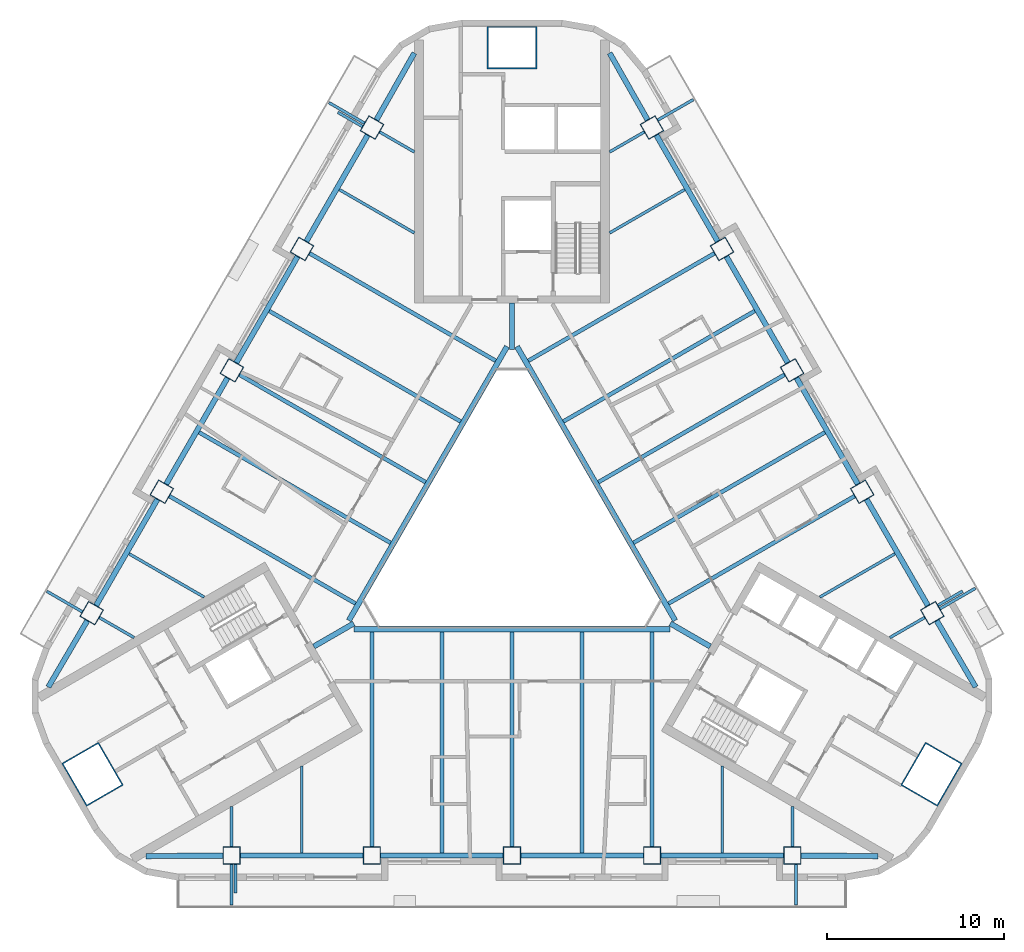
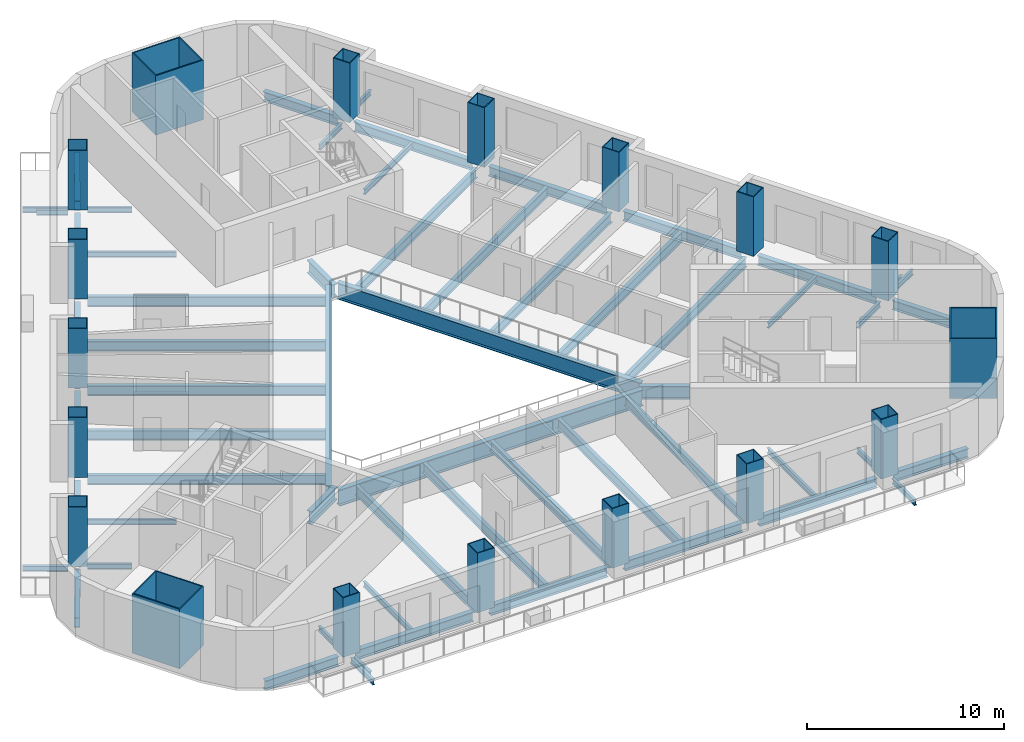
# One storey, part 1 of 13: 60 beams, 18 columns.
"""IFC4 building model written with IfcOpenShell, lengths in metres."""

from ifc_helpers import new_model, si_unit, direction, frame, origin, origin_2d, place, context, subcontext, project, spatial, rectangle, hollow_rectangle, i_section, extrude, material, material_profile, profile_set, type_object, element, save


model = new_model("IFC4")

# Units and contexts
model_context = context("Model", 3, precision=1e-05, world=origin(), true_north=direction((0.0, 1.0)))
body_context = subcontext(model_context, "Body", "Model", "MODEL_VIEW")
ifc_project = project(units=[si_unit("LENGTHUNIT", "METRE"), si_unit("AREAUNIT", "SQUARE_METRE"), si_unit("VOLUMEUNIT", "CUBIC_METRE"), si_unit("PLANEANGLEUNIT", "RADIAN"), si_unit("MASSUNIT", "GRAM", prefix="KILO")], contexts=[model_context])

# Site, building, storey
site_placement = place(None, origin())
site = spatial("IfcSite", under=ifc_project, at=site_placement, CompositionType="ELEMENT")
building_placement = place(site_placement, origin())
building = spatial("IfcBuilding", under=site, at=building_placement, Name="Apuvela Tower Hotel", CompositionType="ELEMENT")
storey_placement = place(building_placement, frame((0.0, 0.0, 79.800048828125)))
storey = spatial("IfcBuildingStorey", under=building, at=storey_placement, Name="L17", CompositionType="ELEMENT", Elevation=79.800048828125)

# Columns
ifc_material_1 = material(Name="Steel S460", Category="steel")
ifc_material_profile_1 = material_profile(ifc_material_1, hollow_rectangle(XDim=2.800048828125, YDim=2.39990234375, WallThickness=0.070068359375, at=origin_2d()), Name="BOX 2800x2400x70")
ifc_material_2 = material(Name="Concrete C80/95", Category="concrete")
ifc_material_profile_2 = material_profile(ifc_material_2, rectangle(XDim=2.659912109375, YDim=2.260009765625, at=origin_2d()), Name="Concrete C80/95 infill")
ifc_profile_set_1 = profile_set([ifc_material_profile_1, ifc_material_profile_2], Name="Steel S460")
column_type_1 = type_object("IfcColumnType", Name="STR-MC mega column BOX 2800x2400x70", PredefinedType="COLUMN", material=ifc_profile_set_1)
for number, where, z_axis, x_axis, name in (
    (1, (0.0, 27.300048828125, 0.0), (0.0, 0.0, 1.0), (1.0, 0.0, 0.0), "Mega column MC2 N"),
    (2, (-23.642578125, -13.64990234375, 0.0), (0.0, 0.0, 1.0), (-0.5, 0.866025403784, 0.0), "Mega column MC2 SW"),
    (3, (23.642578125, -13.64990234375, 0.0), (0.0, 0.0, 1.0), (0.5, 0.866025403784, 0.0), "Mega column MC2 SE"),
):
    element("IfcColumn", number, at=place(storey_placement, frame(where, z_axis=z_axis, x_axis=x_axis)), inside=storey, type_object=column_type_1, Name=name, PredefinedType="COLUMN", context=body_context, shape_type="SweptSolid", body=[
        extrude(hollow_rectangle(XDim=2.800048828125, YDim=2.39990234375, WallThickness=0.070068359375, at=origin_2d()), origin(), (0.0, 0.0, 1.0), 3.699951171875),
    ])
ifc_material_profile_3 = material_profile(ifc_material_1, hollow_rectangle(XDim=1.0, YDim=1.0, WallThickness=0.044921875, at=origin_2d()), Name="BOX 1000x1000x45")
ifc_material_profile_4 = material_profile(ifc_material_2, rectangle(XDim=0.909912109375, YDim=0.909912109375, at=origin_2d()), Name="Concrete C80/95 infill")
ifc_profile_set_2 = profile_set([ifc_material_profile_3, ifc_material_profile_4], Name="Steel S460")
column_type_2 = type_object("IfcColumnType", Name="STR-PC perimeter column BOX 1000x1000x45", PredefinedType="COLUMN", material=ifc_profile_set_2)
for number, where, z_axis, x_axis, name in (
    (4, (-15.800048828125, -18.22998046875, 0.0), (0.0, 0.0, 1.0), (-1.0, 0.0, 0.0), "Perimeter column C2 S1"),
    (5, (-7.89990234375, -18.22998046875, 0.0), (0.0, 0.0, 1.0), (-1.0, 0.0, 0.0), "Perimeter column C2 S2"),
    (6, (0.0, -18.22998046875, 0.0), (0.0, 0.0, 1.0), (-1.0, 0.0, 0.0), "Perimeter column C2 S3"),
    (7, (7.89990234375, -18.22998046875, 0.0), (0.0, 0.0, 1.0), (-1.0, 0.0, 0.0), "Perimeter column C2 S4"),
    (8, (15.800048828125, -18.22998046875, 0.0), (0.0, 0.0, 1.0), (-1.0, 0.0, 0.0), "Perimeter column C2 S5"),
    (9, (23.6875, -4.568115234375, 0.0), (0.0, 0.0, 1.0), (-0.5, 0.866025403784, 0.0), "Perimeter column C2 NE1"),
    (10, (19.737548828125, 2.2734375, 0.0), (0.0, 0.0, 1.0), (-0.5, 0.866025403784, 0.0), "Perimeter column C2 NE2"),
    (11, (15.78759765625, 9.114990234375, 0.0), (0.0, 0.0, 1.0), (-0.5, 0.866025403784, 0.0), "Perimeter column C2 NE3"),
    (12, (11.837646484375, 15.95654296875, 0.0), (0.0, 0.0, 1.0), (-0.5, 0.866025403784, 0.0), "Perimeter column C2 NE4"),
    (13, (7.8876953125, 22.798095703125, 0.0), (0.0, 0.0, 1.0), (-0.5, 0.866025403784, 0.0), "Perimeter column C2 NE5"),
    (14, (-7.8876953125, 22.798095703125, 0.0), (0.0, 0.0, 1.0), (0.5, 0.866025403784, 0.0), "Perimeter column C2 NW1"),
    (15, (-11.837646484375, 15.95654296875, 0.0), (0.0, 0.0, 1.0), (0.5, 0.866025403784, 0.0), "Perimeter column C2 NW2"),
    (16, (-15.78759765625, 9.114990234375, 0.0), (0.0, 0.0, 1.0), (0.5, 0.866025403784, 0.0), "Perimeter column C2 NW3"),
    (17, (-19.737548828125, 2.2734375, 0.0), (0.0, 0.0, 1.0), (0.5, 0.866025403784, 0.0), "Perimeter column C2 NW4"),
    (18, (-23.6875, -4.568115234375, 0.0), (0.0, 0.0, 1.0), (0.5, 0.866025403784, 0.0), "Perimeter column C2 NW5"),
):
    element("IfcColumn", number, at=place(storey_placement, frame(where, z_axis=z_axis, x_axis=x_axis)), inside=storey, type_object=column_type_2, Name=name, PredefinedType="COLUMN", context=body_context, shape_type="SweptSolid", body=[
        extrude(hollow_rectangle(XDim=1.0, YDim=1.0, WallThickness=0.044921875, at=origin_2d()), origin(), (0.0, 0.0, 1.0), 3.699951171875),
    ])

# Beams
ifc_material_3 = material(Name="Steel S355", Category="steel")
ifc_material_profile_5 = material_profile(ifc_material_3, i_section(OverallWidth=0.159912109375, OverallDepth=0.330078125, WebThickness=0.007568359375, FlangeThickness=0.011474609375, at=origin_2d()), Name="IPE 330")
ifc_profile_set_3 = profile_set([ifc_material_profile_5], Name="Steel S355")
beam_type_1 = type_object("IfcBeamType", Name="ENV-BALCONY-BEAM-IPE330", PredefinedType="BEAM", material=ifc_profile_set_3)
beam_1_placement = place(storey_placement, frame((-15.800048828125, -18.72998046875, -0.31494140625), z_axis=(0.0, -1.0, 0.0), x_axis=(1.0, 0.0, 0.0)))
element("IfcBeam", 19, at=beam_1_placement, inside=storey, type_object=beam_type_1, Name="Balcony cantilever beam S1 L17", PredefinedType="BEAM", context=body_context, shape_type="SweptSolid", body=[
    extrude(i_section(OverallWidth=0.159912109375, OverallDepth=0.330078125, WebThickness=0.007568359375, FlangeThickness=0.011474609375, at=origin_2d()), origin(), (0.0, 0.0, 1.0), 2.300048828125),
])
beam_2_placement = place(storey_placement, frame((-15.580078125, -18.72998046875, -0.31494140625), z_axis=(0.0, -1.0, 0.0), x_axis=(1.0, 0.0, 0.0)))
element("IfcBeam", 20, at=beam_2_placement, inside=storey, type_object=beam_type_1, Name="Balcony cantilever beam S2 L17", PredefinedType="BEAM", context=body_context, shape_type="SweptSolid", body=[
    extrude(i_section(OverallWidth=0.159912109375, OverallDepth=0.330078125, WebThickness=0.007568359375, FlangeThickness=0.011474609375, at=origin_2d()), origin(), (0.0, 0.0, 1.0), 1.60009765625),
])
for number, where, z_axis, x_axis, name in (
    (21, (16.0, -18.72998046875, -0.31494140625), (0.0, -1.0, 0.0), (1.0, 0.0, 0.0), "Balcony cantilever beam S3 L17"),
    (22, (24.12060546875, -4.318115234375, -0.31494140625), (0.866053019151, 0.499952165731, 0.0), (-0.499952165731, 0.866053019151, 0.0), "Balcony cantilever beam NE1 L17"),
):
    element("IfcBeam", number, at=place(storey_placement, frame(where, z_axis=z_axis, x_axis=x_axis)), inside=storey, type_object=beam_type_1, Name=name, PredefinedType="BEAM", context=body_context, shape_type="SweptSolid", body=[
        extrude(i_section(OverallWidth=0.159912109375, OverallDepth=0.330078125, WebThickness=0.007568359375, FlangeThickness=0.011474609375, at=origin_2d()), origin(), (0.0, 0.0, 1.0), 2.300048828125),
    ])
beam_3_placement = place(storey_placement, frame((24.0107421875, -4.127685546875, -0.31494140625), z_axis=(0.865989903783, 0.500061482766, 0.0), x_axis=(-0.500061482766, 0.865989903783, 0.0)))
element("IfcBeam", 23, at=beam_3_placement, inside=storey, type_object=beam_type_1, Name="Balcony cantilever beam NE2 L17", PredefinedType="BEAM", context=body_context, shape_type="SweptSolid", body=[
    extrude(i_section(OverallWidth=0.159912109375, OverallDepth=0.330078125, WebThickness=0.007568359375, FlangeThickness=0.011474609375, at=origin_2d()), origin(), (0.0, 0.0, 1.0), 1.599853515625),
])
beam_4_placement = place(storey_placement, frame((8.220703125, 23.221435546875, -0.31494140625), z_axis=(0.86602648383, 0.499998129301, 0.0), x_axis=(-0.499998129301, 0.86602648383, 0.0)))
element("IfcBeam", 24, at=beam_4_placement, inside=storey, type_object=beam_type_1, Name="Balcony cantilever beam NE3 L17", PredefinedType="BEAM", context=body_context, shape_type="SweptSolid", body=[
    extrude(i_section(OverallWidth=0.159912109375, OverallDepth=0.330078125, WebThickness=0.007568359375, FlangeThickness=0.011474609375, at=origin_2d()), origin(), (0.0, 0.0, 1.0), 2.2998046875),
])
beam_5_placement = place(storey_placement, frame((-8.32080078125, 23.048095703125, -0.31494140625), z_axis=(-0.865980515519, 0.500077740698, 0.0), x_axis=(-0.500077740698, -0.865980515519, 0.0)))
element("IfcBeam", 25, at=beam_5_placement, inside=storey, type_object=beam_type_1, Name="Balcony cantilever beam NW1 L17", PredefinedType="BEAM", context=body_context, shape_type="SweptSolid", body=[
    extrude(i_section(OverallWidth=0.159912109375, OverallDepth=0.330078125, WebThickness=0.007568359375, FlangeThickness=0.011474609375, at=origin_2d()), origin(), (0.0, 0.0, 1.0), 2.300048828125),
])
beam_6_placement = place(storey_placement, frame((-8.4306640625, 22.857666015625, -0.31494140625), z_axis=(-0.866028054938, 0.499995408039, 0.0), x_axis=(-0.499995408039, -0.866028054938, 0.0)))
element("IfcBeam", 26, at=beam_6_placement, inside=storey, type_object=beam_type_1, Name="Balcony cantilever beam NW2 L17", PredefinedType="BEAM", context=body_context, shape_type="SweptSolid", body=[
    extrude(i_section(OverallWidth=0.159912109375, OverallDepth=0.330078125, WebThickness=0.007568359375, FlangeThickness=0.011474609375, at=origin_2d()), origin(), (0.0, 0.0, 1.0), 1.60009765625),
])
beam_7_placement = place(storey_placement, frame((-24.220703125, -4.491455078125, -0.31494140625), z_axis=(-0.865980515519, 0.500077740698, 0.0), x_axis=(-0.500077740698, -0.865980515519, 0.0)))
element("IfcBeam", 27, at=beam_7_placement, inside=storey, type_object=beam_type_1, Name="Balcony cantilever beam NW3 L17", PredefinedType="BEAM", context=body_context, shape_type="SweptSolid", body=[
    extrude(i_section(OverallWidth=0.159912109375, OverallDepth=0.330078125, WebThickness=0.007568359375, FlangeThickness=0.011474609375, at=origin_2d()), origin(), (0.0, 0.0, 1.0), 2.300048828125),
])
ifc_material_profile_6 = material_profile(ifc_material_3, i_section(OverallWidth=0.159912109375, OverallDepth=0.330078125, WebThickness=0.007568359375, FlangeThickness=0.011474609375, at=origin_2d()), Name="IPE 330")
ifc_profile_set_4 = profile_set([ifc_material_profile_6], Name="Steel S355")
beam_type_2 = type_object("IfcBeamType", Name="STR-B floor beam IPE 330", PredefinedType="BEAM", material=ifc_profile_set_4)
beam_8_placement = place(storey_placement, frame((23.254638671875, -4.818115234375, -0.31494140625), z_axis=(-0.865991034588, -0.500059524469, 0.0), x_axis=(0.500059524469, -0.865991034588, 0.0)))
element("IfcBeam", 28, at=beam_8_placement, inside=storey, type_object=beam_type_2, Name="Floor beam B1 NE1", PredefinedType="BEAM", context=body_context, shape_type="SweptSolid", body=[
    extrude(i_section(OverallWidth=0.159912109375, OverallDepth=0.330078125, WebThickness=0.007568359375, FlangeThickness=0.011474609375, at=origin_2d()), origin(), (0.0, 0.0, 1.0), 2.257080078125),
])
for number, where, z_axis, x_axis, name in (
    (29, (21.582763671875, -1.222412109375, -0.31494140625), (-0.866015056278, -0.500017921979, 0.0), (0.500017921979, -0.866015056278, 0.0), "Floor beam B1 NE2"),
    (30, (9.732666015625, 19.302490234375, -0.31494140625), (-0.866015056278, -0.500017921979, 0.0), (0.500017921979, -0.866015056278, 0.0), "Floor beam B1 NE8"),
):
    element("IfcBeam", number, at=place(storey_placement, frame(where, z_axis=z_axis, x_axis=x_axis)), inside=storey, type_object=beam_type_2, Name=name, PredefinedType="BEAM", context=body_context, shape_type="SweptSolid", body=[
        extrude(i_section(OverallWidth=0.159912109375, OverallDepth=0.330078125, WebThickness=0.007568359375, FlangeThickness=0.011474609375, at=origin_2d()), origin(), (0.0, 0.0, 1.0), 4.887451171875),
    ])
for number, where, z_axis, x_axis, name in (
    (31, (7.45458984375, 22.548095703125, -0.31494140625), (-0.86603787505, -0.499978398512, 0.0), (0.499978398512, -0.86603787505, 0.0), "Floor beam B1 NE9"),
    (32, (-7.45458984375, 22.548095703125, -0.31494140625), (0.86603787505, -0.499978398512, 0.0), (0.499978398512, 0.86603787505, 0.0), "Floor beam B1 NW1"),
):
    element("IfcBeam", number, at=place(storey_placement, frame(where, z_axis=z_axis, x_axis=x_axis)), inside=storey, type_object=beam_type_2, Name=name, PredefinedType="BEAM", context=body_context, shape_type="SweptSolid", body=[
        extrude(i_section(OverallWidth=0.159912109375, OverallDepth=0.330078125, WebThickness=0.007568359375, FlangeThickness=0.011474609375, at=origin_2d()), origin(), (0.0, 0.0, 1.0), 2.2568359375),
    ])
for number, where, z_axis, x_axis, name in (
    (33, (-9.732666015625, 19.302490234375, -0.31494140625), (0.866015056278, -0.500017921979, 0.0), (0.500017921979, 0.866015056278, 0.0), "Floor beam B1 NW2"),
    (34, (-21.582763671875, -1.222412109375, -0.31494140625), (0.866015056278, -0.500017921979, 0.0), (0.500017921979, 0.866015056278, 0.0), "Floor beam B1 NW8"),
):
    element("IfcBeam", number, at=place(storey_placement, frame(where, z_axis=z_axis, x_axis=x_axis)), inside=storey, type_object=beam_type_2, Name=name, PredefinedType="BEAM", context=body_context, shape_type="SweptSolid", body=[
        extrude(i_section(OverallWidth=0.159912109375, OverallDepth=0.330078125, WebThickness=0.007568359375, FlangeThickness=0.011474609375, at=origin_2d()), origin(), (0.0, 0.0, 1.0), 4.887451171875),
    ])
for number, where, z_axis, x_axis, name in (
    (35, (-23.254638671875, -4.818115234375, -0.31494140625), (0.865991034588, -0.500059524469, 0.0), (0.500059524469, 0.865991034588, 0.0), "Floor beam B1 NW9"),
    (36, (-15.800048828125, -17.72998046875, -0.31494140625), (0.0, 1.0, 0.0), (-1.0, 0.0, 0.0), "Floor beam B1 S1"),
):
    element("IfcBeam", number, at=place(storey_placement, frame(where, z_axis=z_axis, x_axis=x_axis)), inside=storey, type_object=beam_type_2, Name=name, PredefinedType="BEAM", context=body_context, shape_type="SweptSolid", body=[
        extrude(i_section(OverallWidth=0.159912109375, OverallDepth=0.330078125, WebThickness=0.007568359375, FlangeThickness=0.011474609375, at=origin_2d()), origin(), (0.0, 0.0, 1.0), 2.257080078125),
    ])
for number, where, z_axis, x_axis, name in (
    (37, (-11.85009765625, -18.080078125, -0.31494140625), (0.0, 1.0, 0.0), (-1.0, 0.0, 0.0), "Floor beam B1 S2"),
    (38, (11.85009765625, -18.080078125, -0.31494140625), (0.0, 1.0, 0.0), (-1.0, 0.0, 0.0), "Floor beam B1 S8"),
):
    element("IfcBeam", number, at=place(storey_placement, frame(where, z_axis=z_axis, x_axis=x_axis)), inside=storey, type_object=beam_type_2, Name=name, PredefinedType="BEAM", context=body_context, shape_type="SweptSolid", body=[
        extrude(i_section(OverallWidth=0.159912109375, OverallDepth=0.330078125, WebThickness=0.007568359375, FlangeThickness=0.011474609375, at=origin_2d()), origin(), (0.0, 0.0, 1.0), 4.8876953125),
    ])
beam_9_placement = place(storey_placement, frame((15.800048828125, -17.72998046875, -0.31494140625), z_axis=(0.0, 1.0, 0.0), x_axis=(-1.0, 0.0, 0.0)))
element("IfcBeam", 39, at=beam_9_placement, inside=storey, type_object=beam_type_2, Name="Floor beam B1 S9", PredefinedType="BEAM", context=body_context, shape_type="SweptSolid", body=[
    extrude(i_section(OverallWidth=0.159912109375, OverallDepth=0.330078125, WebThickness=0.007568359375, FlangeThickness=0.011474609375, at=origin_2d()), origin(), (0.0, 0.0, 1.0), 2.257080078125),
])
ifc_material_profile_7 = material_profile(ifc_material_3, i_section(OverallWidth=0.219970703125, OverallDepth=0.60009765625, WebThickness=0.011962890625, FlangeThickness=0.01904296875, at=origin_2d()), Name="IPE 600")
ifc_profile_set_5 = profile_set([ifc_material_profile_7], Name="Steel S355")
beam_type_3 = type_object("IfcBeamType", Name="STR-B floor beam IPE 600", PredefinedType="BEAM", material=ifc_profile_set_5)
beam_10_placement = place(storey_placement, frame((19.3046875, 2.0234375, -0.449951171875), z_axis=(-0.866027098151, -0.499997065259, 0.0), x_axis=(0.499997065259, -0.866027098151, 0.0)))
element("IfcBeam", 40, at=beam_10_placement, inside=storey, type_object=beam_type_3, Name="Floor beam B8 NE3", PredefinedType="BEAM", context=body_context, shape_type="SweptSolid", body=[
    extrude(i_section(OverallWidth=0.219970703125, OverallDepth=0.60009765625, WebThickness=0.011962890625, FlangeThickness=0.01904296875, at=origin_2d()), origin(), (0.0, 0.0, 1.0), 12.10791015625),
])
beam_11_placement = place(storey_placement, frame((17.6328125, 5.619140625, -0.449951171875), z_axis=(-0.866027636335, -0.499996133089, 0.0), x_axis=(0.499996133089, -0.866027636335, 0.0)))
element("IfcBeam", 41, at=beam_11_placement, inside=storey, type_object=beam_type_3, Name="Floor beam B8 NE4", PredefinedType="BEAM", context=body_context, shape_type="SweptSolid", body=[
    extrude(i_section(OverallWidth=0.219970703125, OverallDepth=0.60009765625, WebThickness=0.011962890625, FlangeThickness=0.01904296875, at=origin_2d()), origin(), (0.0, 0.0, 1.0), 12.4580078125),
])
beam_12_placement = place(storey_placement, frame((15.3544921875, 8.864990234375, -0.449951171875), z_axis=(-0.866022057176, -0.500005796451, 0.0), x_axis=(0.500005796451, -0.866022057176, 0.0)))
element("IfcBeam", 42, at=beam_12_placement, inside=storey, type_object=beam_type_3, Name="Floor beam B8 NE5", PredefinedType="BEAM", context=body_context, shape_type="SweptSolid", body=[
    extrude(i_section(OverallWidth=0.219970703125, OverallDepth=0.60009765625, WebThickness=0.011962890625, FlangeThickness=0.01904296875, at=origin_2d()), origin(), (0.0, 0.0, 1.0), 12.107666015625),
])
beam_13_placement = place(storey_placement, frame((13.6826171875, 12.460693359375, -0.449951171875), z_axis=(-0.866022737053, -0.500004618886, 0.0), x_axis=(0.500004618886, -0.866022737053, 0.0)))
element("IfcBeam", 43, at=beam_13_placement, inside=storey, type_object=beam_type_3, Name="Floor beam B8 NE6", PredefinedType="BEAM", context=body_context, shape_type="SweptSolid", body=[
    extrude(i_section(OverallWidth=0.219970703125, OverallDepth=0.60009765625, WebThickness=0.011962890625, FlangeThickness=0.01904296875, at=origin_2d()), origin(), (0.0, 0.0, 1.0), 12.4580078125),
])
for number, where, z_axis, x_axis, name in (
    (44, (11.404541015625, 15.70654296875, -0.449951171875), (-0.866027098151, -0.499997065259, 0.0), (0.499997065259, -0.866027098151, 0.0), "Floor beam B8 NE7"),
    (45, (-11.404541015625, 15.70654296875, -0.449951171875), (0.866027098151, -0.499997065259, 0.0), (0.499997065259, 0.866027098151, 0.0), "Floor beam B8 NW3"),
):
    element("IfcBeam", number, at=place(storey_placement, frame(where, z_axis=z_axis, x_axis=x_axis)), inside=storey, type_object=beam_type_3, Name=name, PredefinedType="BEAM", context=body_context, shape_type="SweptSolid", body=[
        extrude(i_section(OverallWidth=0.219970703125, OverallDepth=0.60009765625, WebThickness=0.011962890625, FlangeThickness=0.01904296875, at=origin_2d()), origin(), (0.0, 0.0, 1.0), 12.10791015625),
    ])
beam_14_placement = place(storey_placement, frame((-13.6826171875, 12.460693359375, -0.449951171875), z_axis=(0.866022737053, -0.500004618886, 0.0), x_axis=(0.500004618886, 0.866022737053, 0.0)))
element("IfcBeam", 46, at=beam_14_placement, inside=storey, type_object=beam_type_3, Name="Floor beam B8 NW4", PredefinedType="BEAM", context=body_context, shape_type="SweptSolid", body=[
    extrude(i_section(OverallWidth=0.219970703125, OverallDepth=0.60009765625, WebThickness=0.011962890625, FlangeThickness=0.01904296875, at=origin_2d()), origin(), (0.0, 0.0, 1.0), 12.4580078125),
])
beam_15_placement = place(storey_placement, frame((-15.3544921875, 8.864990234375, -0.449951171875), z_axis=(0.866022057176, -0.500005796451, 0.0), x_axis=(0.500005796451, 0.866022057176, 0.0)))
element("IfcBeam", 47, at=beam_15_placement, inside=storey, type_object=beam_type_3, Name="Floor beam B8 NW5", PredefinedType="BEAM", context=body_context, shape_type="SweptSolid", body=[
    extrude(i_section(OverallWidth=0.219970703125, OverallDepth=0.60009765625, WebThickness=0.011962890625, FlangeThickness=0.01904296875, at=origin_2d()), origin(), (0.0, 0.0, 1.0), 12.107666015625),
])
beam_16_placement = place(storey_placement, frame((-17.6328125, 5.619140625, -0.449951171875), z_axis=(0.866027636335, -0.499996133089, 0.0), x_axis=(0.499996133089, 0.866027636335, 0.0)))
element("IfcBeam", 48, at=beam_16_placement, inside=storey, type_object=beam_type_3, Name="Floor beam B8 NW6", PredefinedType="BEAM", context=body_context, shape_type="SweptSolid", body=[
    extrude(i_section(OverallWidth=0.219970703125, OverallDepth=0.60009765625, WebThickness=0.011962890625, FlangeThickness=0.01904296875, at=origin_2d()), origin(), (0.0, 0.0, 1.0), 12.4580078125),
])
for number, where, z_axis, x_axis, name in (
    (49, (-19.3046875, 2.0234375, -0.449951171875), (0.866027098151, -0.499997065259, 0.0), (0.499997065259, 0.866027098151, 0.0), "Floor beam B8 NW7"),
    (50, (-7.89990234375, -17.72998046875, -0.449951171875), (0.0, 1.0, 0.0), (-1.0, 0.0, 0.0), "Floor beam B8 S3"),
):
    element("IfcBeam", number, at=place(storey_placement, frame(where, z_axis=z_axis, x_axis=x_axis)), inside=storey, type_object=beam_type_3, Name=name, PredefinedType="BEAM", context=body_context, shape_type="SweptSolid", body=[
        extrude(i_section(OverallWidth=0.219970703125, OverallDepth=0.60009765625, WebThickness=0.011962890625, FlangeThickness=0.01904296875, at=origin_2d()), origin(), (0.0, 0.0, 1.0), 12.10791015625),
    ])
beam_17_placement = place(storey_placement, frame((-3.949951171875, -18.080078125, -0.449951171875), z_axis=(0.0, 1.0, 0.0), x_axis=(-1.0, 0.0, 0.0)))
element("IfcBeam", 51, at=beam_17_placement, inside=storey, type_object=beam_type_3, Name="Floor beam B8 S4", PredefinedType="BEAM", context=body_context, shape_type="SweptSolid", body=[
    extrude(i_section(OverallWidth=0.219970703125, OverallDepth=0.60009765625, WebThickness=0.011962890625, FlangeThickness=0.01904296875, at=origin_2d()), origin(), (0.0, 0.0, 1.0), 12.4580078125),
])
beam_18_placement = place(storey_placement, frame((0.0, -17.72998046875, -0.449951171875), z_axis=(0.0, 1.0, 0.0), x_axis=(-1.0, 0.0, 0.0)))
element("IfcBeam", 52, at=beam_18_placement, inside=storey, type_object=beam_type_3, Name="Floor beam B8 S5", PredefinedType="BEAM", context=body_context, shape_type="SweptSolid", body=[
    extrude(i_section(OverallWidth=0.219970703125, OverallDepth=0.60009765625, WebThickness=0.011962890625, FlangeThickness=0.01904296875, at=origin_2d()), origin(), (0.0, 0.0, 1.0), 12.10791015625),
])
beam_19_placement = place(storey_placement, frame((3.949951171875, -18.080078125, -0.449951171875), z_axis=(0.0, 1.0, 0.0), x_axis=(-1.0, 0.0, 0.0)))
element("IfcBeam", 53, at=beam_19_placement, inside=storey, type_object=beam_type_3, Name="Floor beam B8 S6", PredefinedType="BEAM", context=body_context, shape_type="SweptSolid", body=[
    extrude(i_section(OverallWidth=0.219970703125, OverallDepth=0.60009765625, WebThickness=0.011962890625, FlangeThickness=0.01904296875, at=origin_2d()), origin(), (0.0, 0.0, 1.0), 12.4580078125),
])
beam_20_placement = place(storey_placement, frame((7.89990234375, -17.72998046875, -0.449951171875), z_axis=(0.0, 1.0, 0.0), x_axis=(-1.0, 0.0, 0.0)))
element("IfcBeam", 54, at=beam_20_placement, inside=storey, type_object=beam_type_3, Name="Floor beam B8 S7", PredefinedType="BEAM", context=body_context, shape_type="SweptSolid", body=[
    extrude(i_section(OverallWidth=0.219970703125, OverallDepth=0.60009765625, WebThickness=0.011962890625, FlangeThickness=0.01904296875, at=origin_2d()), origin(), (0.0, 0.0, 1.0), 12.10791015625),
])
ifc_material_profile_8 = material_profile(ifc_material_3, i_section(OverallWidth=0.302001953125, OverallDepth=1.008056640625, WebThickness=0.02099609375, FlangeThickness=0.0400390625, at=origin_2d()), Name="HE 1000 M")
ifc_profile_set_6 = profile_set([ifc_material_profile_8], Name="Steel S355")
beam_type_4 = type_object("IfcBeamType", Name="STR-G atrium ring girder HE 1000 M", PredefinedType="BEAM", material=ifc_profile_set_6)
for number, where, z_axis, x_axis, name in (
    (55, (-0.28076171875, 10.455810546875, -0.654052734375), (-0.500000611842, -0.866025050537, 0.0), (0.866025050537, -0.500000611842, 0.0), "Atrium ring girder G1 N-SW"),
    (56, (-8.91455078125, -5.470947265625, -0.654052734375), (1.0, 0.0, 0.0), (0.0, 1.0, 0.0), "Atrium ring girder G1 SW-SE"),
    (57, (9.1953125, -4.984619140625, -0.654052734375), (-0.500000611842, 0.866025050537, 0.0), (-0.866025050537, -0.500000611842, 0.0), "Atrium ring girder G1 SE-N"),
):
    element("IfcBeam", number, at=place(storey_placement, frame(where, z_axis=z_axis, x_axis=x_axis)), inside=storey, type_object=beam_type_4, Name=name, PredefinedType="BEAM", context=body_context, shape_type="SweptSolid", body=[
        extrude(i_section(OverallWidth=0.302001953125, OverallDepth=1.008056640625, WebThickness=0.02099609375, FlangeThickness=0.0400390625, at=origin_2d()), origin(), (0.0, 0.0, 1.0), 17.8291015625),
    ])
ifc_material_profile_9 = material_profile(ifc_material_3, i_section(OverallWidth=0.300048828125, OverallDepth=0.800048828125, WebThickness=0.017578125, FlangeThickness=0.032958984375, at=origin_2d()), Name="HE 800 B")
ifc_profile_set_7 = profile_set([ifc_material_profile_9], Name="Steel S355")
beam_type_5 = type_object("IfcBeamType", Name="STR-GT core tie beam HE 800 B", PredefinedType="BEAM", material=ifc_profile_set_7)
for number, where, z_axis, x_axis, name in (
    (58, (0.0, 12.89990234375, -0.550048828125), (0.0, -1.0, 0.0), (1.0, 0.0, 0.0), "Core tie beam GT1 N"),
    (59, (-11.171630859375, -6.449951171875, -0.550048828125), (0.865997922154, 0.500047596559, 0.0), (-0.500047596559, 0.865997922154, 0.0), "Core tie beam GT1 SW"),
    (60, (11.171630859375, -6.449951171875, -0.550048828125), (-0.865997922154, 0.500047596559, 0.0), (-0.500047596559, -0.865997922154, 0.0), "Core tie beam GT1 SE"),
):
    element("IfcBeam", number, at=place(storey_placement, frame(where, z_axis=z_axis, x_axis=x_axis)), inside=storey, type_object=beam_type_5, Name=name, PredefinedType="BEAM", context=body_context, shape_type="SweptSolid", body=[
        extrude(i_section(OverallWidth=0.300048828125, OverallDepth=0.800048828125, WebThickness=0.017578125, FlangeThickness=0.032958984375, at=origin_2d()), origin(), (0.0, 0.0, 1.0), 2.599853515625),
    ])
ifc_material_profile_10 = material_profile(ifc_material_3, i_section(OverallWidth=0.300048828125, OverallDepth=0.590087890625, WebThickness=0.012939453125, FlangeThickness=0.02490234375, at=origin_2d()), Name="HE 600 A")
ifc_profile_set_8 = profile_set([ifc_material_profile_10], Name="Steel S355")
beam_type_6 = type_object("IfcBeamType", Name="STR-SB spandrel beam HE 600 A", PredefinedType="SPANDREL", material=ifc_profile_set_8)
beam_21_placement = place(storey_placement, frame((-15.300048828125, -18.22998046875, -0.445068359375), z_axis=(1.0, 0.0, 0.0), x_axis=(0.0, 1.0, 0.0)))
element("IfcBeam", 61, at=beam_21_placement, inside=storey, type_object=beam_type_6, Name="Spandrel beam SB2 S1", PredefinedType="SPANDREL", context=body_context, shape_type="SweptSolid", body=[
    extrude(i_section(OverallWidth=0.300048828125, OverallDepth=0.590087890625, WebThickness=0.012939453125, FlangeThickness=0.02490234375, at=origin_2d()), origin(), (0.0, 0.0, 1.0), 6.900146484375),
])
for number, where, z_axis, x_axis, name in (
    (62, (-7.39990234375, -18.22998046875, -0.445068359375), (1.0, 0.0, 0.0), (0.0, 1.0, 0.0), "Spandrel beam SB2 S2"),
    (63, (0.5, -18.22998046875, -0.445068359375), (1.0, 0.0, 0.0), (0.0, 1.0, 0.0), "Spandrel beam SB2 S3"),
):
    element("IfcBeam", number, at=place(storey_placement, frame(where, z_axis=z_axis, x_axis=x_axis)), inside=storey, type_object=beam_type_6, Name=name, PredefinedType="SPANDREL", context=body_context, shape_type="SweptSolid", body=[
        extrude(i_section(OverallWidth=0.300048828125, OverallDepth=0.590087890625, WebThickness=0.012939453125, FlangeThickness=0.02490234375, at=origin_2d()), origin(), (0.0, 0.0, 1.0), 6.89990234375),
    ])
beam_22_placement = place(storey_placement, frame((8.39990234375, -18.22998046875, -0.445068359375), z_axis=(1.0, 0.0, 0.0), x_axis=(0.0, 1.0, 0.0)))
element("IfcBeam", 64, at=beam_22_placement, inside=storey, type_object=beam_type_6, Name="Spandrel beam SB2 S4", PredefinedType="SPANDREL", context=body_context, shape_type="SweptSolid", body=[
    extrude(i_section(OverallWidth=0.300048828125, OverallDepth=0.590087890625, WebThickness=0.012939453125, FlangeThickness=0.02490234375, at=origin_2d()), origin(), (0.0, 0.0, 1.0), 6.900146484375),
])
for number, where, z_axis, x_axis, name in (
    (65, (23.4375, -4.13525390625, -0.445068359375), (-0.499994024137, 0.866028853923, 0.0), (-0.866028853923, -0.499994024137, 0.0), "Spandrel beam SB2 NE1"),
    (66, (19.487548828125, 2.706298828125, -0.445068359375), (-0.499994024137, 0.866028853923, 0.0), (-0.866028853923, -0.499994024137, 0.0), "Spandrel beam SB2 NE2"),
    (67, (15.53759765625, 9.548095703125, -0.445068359375), (-0.499994024137, 0.866028853923, 0.0), (-0.866028853923, -0.499994024137, 0.0), "Spandrel beam SB2 NE3"),
    (68, (11.587646484375, 16.3896484375, -0.445068359375), (-0.499994024137, 0.866028853923, 0.0), (-0.866028853923, -0.499994024137, 0.0), "Spandrel beam SB2 NE4"),
    (69, (-8.1376953125, 22.365234375, -0.445068359375), (-0.499994024137, -0.866028853923, 0.0), (0.866028853923, -0.499994024137, 0.0), "Spandrel beam SB2 NW1"),
    (70, (-12.087646484375, 15.523681640625, -0.445068359375), (-0.499994024137, -0.866028853923, 0.0), (0.866028853923, -0.499994024137, 0.0), "Spandrel beam SB2 NW2"),
    (71, (-16.03759765625, 8.681884765625, -0.445068359375), (-0.499994024137, -0.866028853923, 0.0), (0.866028853923, -0.499994024137, 0.0), "Spandrel beam SB2 NW3"),
    (72, (-19.987548828125, 1.84033203125, -0.445068359375), (-0.499994024137, -0.866028853923, 0.0), (0.866028853923, -0.499994024137, 0.0), "Spandrel beam SB2 NW4"),
):
    element("IfcBeam", number, at=place(storey_placement, frame(where, z_axis=z_axis, x_axis=x_axis)), inside=storey, type_object=beam_type_6, Name=name, PredefinedType="SPANDREL", context=body_context, shape_type="SweptSolid", body=[
        extrude(i_section(OverallWidth=0.300048828125, OverallDepth=0.590087890625, WebThickness=0.012939453125, FlangeThickness=0.02490234375, at=origin_2d()), origin(), (0.0, 0.0, 1.0), 6.89990234375),
    ])
for number, where, z_axis, x_axis, name in (
    (73, (-16.300048828125, -18.2333984375, -0.445068359375), (-0.999976372141, -0.00687423888, 0.0), (0.00687423888, -0.999976372141, 0.0), "Spandrel beam SB2 S1-SW"),
    (74, (16.300048828125, -18.2333984375, -0.445068359375), (0.999976372141, -0.00687423888, 0.0), (0.00687423888, 0.999976372141, 0.0), "Spandrel beam SB2 S5-SE"),
    (75, (23.940673828125, -4.99951171875, -0.445068359375), (0.505943625762, -0.862566546738, 0.0), (0.862566546738, 0.505943625762, 0.0), "Spandrel beam SB2 NE1-SE"),
    (76, (7.640625, 23.23291015625, -0.445068359375), (-0.494050066642, 0.869433454412, 0.0), (-0.869433454412, -0.494050066642, 0.0), "Spandrel beam SB2 NE5-N"),
    (77, (-7.640625, 23.23291015625, -0.445068359375), (0.494050066642, 0.869433454412, 0.0), (-0.869433454412, 0.494050066642, 0.0), "Spandrel beam SB2 NW1-N"),
    (78, (-23.940673828125, -4.99951171875, -0.445068359375), (-0.505943625762, -0.862566546738, 0.0), (0.862566546738, -0.505943625762, 0.0), "Spandrel beam SB2 NW5-SW"),
):
    element("IfcBeam", number, at=place(storey_placement, frame(where, z_axis=z_axis, x_axis=x_axis)), inside=storey, type_object=beam_type_6, Name=name, PredefinedType="SPANDREL", context=body_context, shape_type="SweptSolid", body=[
        extrude(i_section(OverallWidth=0.300048828125, OverallDepth=0.590087890625, WebThickness=0.012939453125, FlangeThickness=0.02490234375, at=origin_2d()), origin(), (0.0, 0.0, 1.0), 4.332763671875),
    ])

save(model, "model.ifc")
